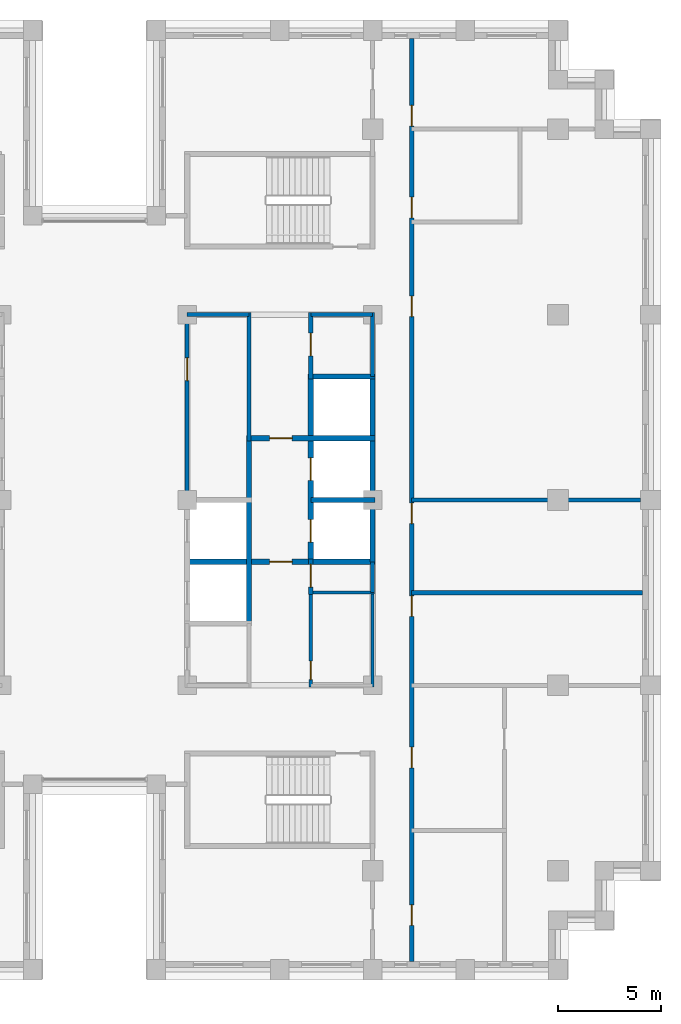
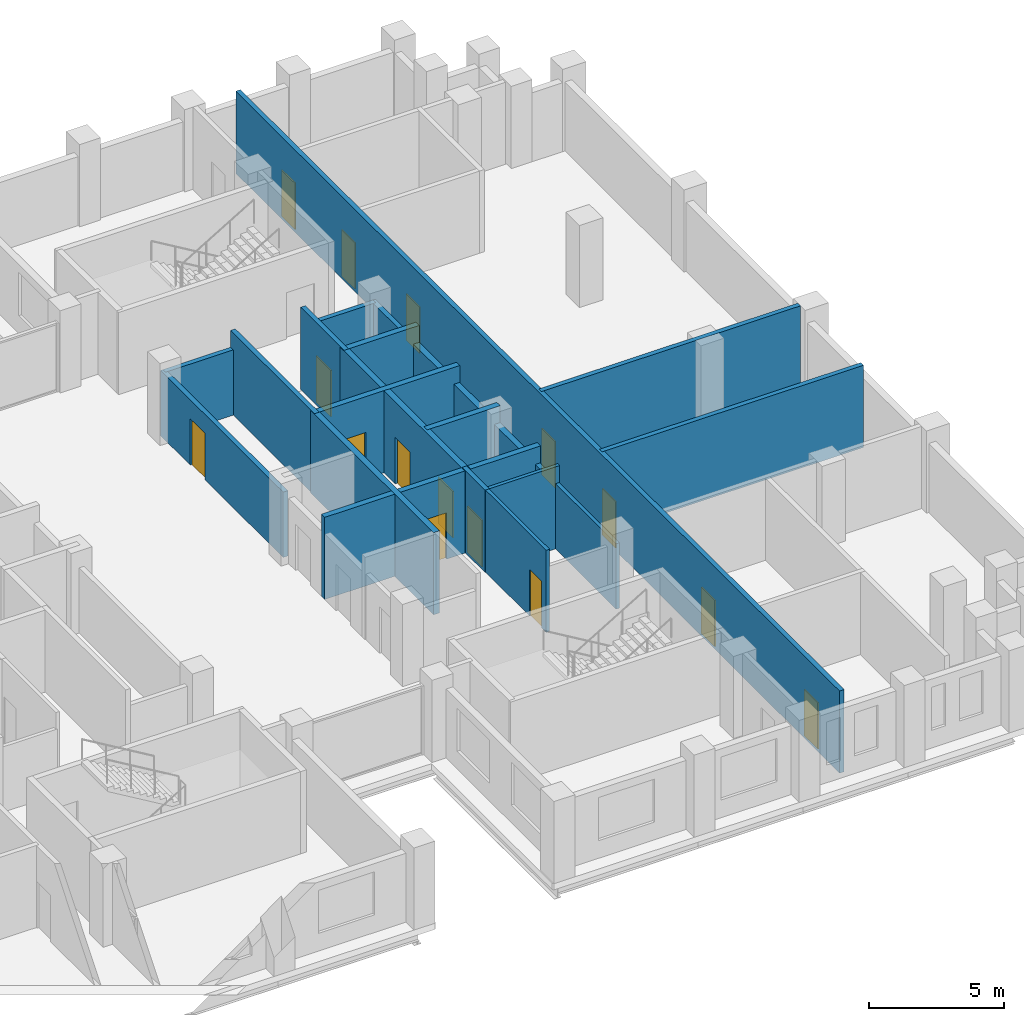
# One storey, part 9 of 15: 21 walls, 15 doors, 15 openings.
"""IFC4 building model written with IfcOpenShell, lengths in metres."""

from ifc_helpers import new_model, si_unit, direction, frame, frame_2d, origin, place, context, subcontext, project, spatial, rectangle, extrude, material, layer, layer_set, type_object, element, fill, save


model = new_model("IFC4")

# Units and contexts
model_context = context("Model", 3, precision=1e-05, world=origin(), true_north=direction((0.0, 1.0)))
body_context = subcontext(model_context, "Body", "Model", "MODEL_VIEW")
ifc_project = project(units=[si_unit("LENGTHUNIT", "METRE"), si_unit("AREAUNIT", "SQUARE_METRE"), si_unit("VOLUMEUNIT", "CUBIC_METRE"), si_unit("PLANEANGLEUNIT", "RADIAN"), si_unit("MASSUNIT", "GRAM", prefix="KILO")], contexts=[model_context])

# Site, building, storey
site_placement = place(None, origin())
site = spatial("IfcSite", under=ifc_project, at=site_placement, CompositionType="ELEMENT")
building_placement = place(site_placement, origin())
building = spatial("IfcBuilding", under=site, at=building_placement, Name="Corbelhall Arena Tower", CompositionType="ELEMENT")
storey_placement = place(building_placement, frame((0.0, 0.0, 212.0)))
storey = spatial("IfcBuildingStorey", under=building, at=storey_placement, Name="L44", CompositionType="ELEMENT", Elevation=212.0)

# Wall, openings, doors
ifc_material_1 = material(Name="Gypsum board on steel stud, acoustic", Category="steel")
ifc_layer_1 = layer(ifc_material_1, 0.199951171875)
ifc_layer_set_1 = layer_set([ifc_layer_1], Name="IN-W-DM200")
wall_type_1 = type_object("IfcWallType", Name="IN-W-DM200", PredefinedType="PARTITIONING", material=ifc_layer_set_1)
wall_1_placement = place(storey_placement, frame((15.39990234375, 22.39990234375, 0.0), z_axis=(0.0, 0.0, 1.0), x_axis=(0.0, -1.0, 0.0)))
wall_1 = element("IfcWall", 1, at=wall_1_placement, inside=storey, type_object=wall_type_1, Name="Partition 026", PredefinedType="PARTITIONING", context=body_context, shape_type="SweptSolid", body=[
    extrude(rectangle(XDim=44.7998046875, YDim=0.199951171875, at=frame_2d((22.39990234375, 0.0))), origin(), (0.0, 0.0, 1.0), 3.719970703125),
])
opening_1_placement = place(wall_1_placement, frame((12.5, 0.0, 0.0)))
opening_1 = element("IfcOpeningElement", 2, at=opening_1_placement, cuts=wall_1, Name="Opening 13032", PredefinedType="OPENING", context=body_context, shape_type="SweptSolid", body=[
    extrude(rectangle(XDim=1.0, YDim=2.10009765625, at=frame_2d((0.5, 1.050048828125))), frame((0.0, 0.10009765625, 0.0), z_axis=(0.0, -1.0, 0.0), x_axis=(1.0, 0.0, 0.0)), (0.0, 0.0, 1.0), 0.199951171875),
])
opening_2_placement = place(wall_1_placement, frame((7.699951171875, 0.0, 0.0)))
opening_2 = element("IfcOpeningElement", 3, at=opening_2_placement, cuts=wall_1, Name="Opening 13033", PredefinedType="OPENING", context=body_context, shape_type="SweptSolid", body=[
    extrude(rectangle(XDim=1.0, YDim=2.10009765625, at=frame_2d((0.5, 1.050048828125))), frame((0.0, 0.10009765625, 0.0), z_axis=(0.0, -1.0, 0.0), x_axis=(1.0, 0.0, 0.0)), (0.0, 0.0, 1.0), 0.199951171875),
])
opening_3_placement = place(wall_1_placement, frame((3.25, 0.0, 0.0)))
opening_3 = element("IfcOpeningElement", 4, at=opening_3_placement, cuts=wall_1, Name="Opening 13034", PredefinedType="OPENING", context=body_context, shape_type="SweptSolid", body=[
    extrude(rectangle(XDim=1.0, YDim=2.10009765625, at=frame_2d((0.5, 1.050048828125))), frame((0.0, 0.10009765625, 0.0), z_axis=(0.0, -1.0, 0.0), x_axis=(1.0, 0.0, 0.0)), (0.0, 0.0, 1.0), 0.199951171875),
])
opening_4_placement = place(wall_1_placement, frame((42.050048828125, 0.0, 0.0)))
opening_4 = element("IfcOpeningElement", 5, at=opening_4_placement, cuts=wall_1, Name="Opening 13035", PredefinedType="OPENING", context=body_context, shape_type="SweptSolid", body=[
    extrude(rectangle(XDim=1.0, YDim=2.10009765625, at=frame_2d((0.5, 1.050048828125))), frame((0.0, 0.10009765625, 0.0), z_axis=(0.0, -1.0, 0.0), x_axis=(1.0, 0.0, 0.0)), (0.0, 0.0, 1.0), 0.199951171875),
])
opening_5_placement = place(wall_1_placement, frame((34.39990234375, 0.0, 0.0)))
opening_5 = element("IfcOpeningElement", 6, at=opening_5_placement, cuts=wall_1, Name="Opening 13036", PredefinedType="OPENING", context=body_context, shape_type="SweptSolid", body=[
    extrude(rectangle(XDim=1.0, YDim=2.10009765625, at=frame_2d((0.5, 1.050048828125))), frame((0.0, 0.10009765625, 0.0), z_axis=(0.0, -1.0, 0.0), x_axis=(1.0, 0.0, 0.0)), (0.0, 0.0, 1.0), 0.199951171875),
])
opening_6_placement = place(wall_1_placement, frame((27.050048828125, 0.0, 0.0)))
opening_6 = element("IfcOpeningElement", 7, at=opening_6_placement, cuts=wall_1, Name="Opening 13038", PredefinedType="OPENING", context=body_context, shape_type="SweptSolid", body=[
    extrude(rectangle(XDim=1.0, YDim=2.10009765625, at=frame_2d((0.5, 1.050048828125))), frame((0.0, 0.10009765625, 0.0), z_axis=(0.0, -1.0, 0.0), x_axis=(1.0, 0.0, 0.0)), (0.0, 0.0, 1.0), 0.199951171875),
])
opening_7_placement = place(wall_1_placement, frame((22.550048828125, 0.0, 0.0)))
opening_7 = element("IfcOpeningElement", 8, at=opening_7_placement, cuts=wall_1, Name="Opening 13039", PredefinedType="OPENING", context=body_context, shape_type="SweptSolid", body=[
    extrude(rectangle(XDim=1.0, YDim=2.10009765625, at=frame_2d((0.5, 1.050048828125))), frame((0.0, 0.10009765625, 0.0), z_axis=(0.0, -1.0, 0.0), x_axis=(1.0, 0.0, 0.0)), (0.0, 0.0, 1.0), 0.199951171875),
])
ifc_material_2 = material(Name="Steel door set", Category="steel")
door_type_1 = type_object("IfcDoorType", Name="IN-D-SW100", OperationType="NOTDEFINED", PredefinedType="DOOR", material=ifc_material_2)
door_1_placement = place(opening_1_placement, origin())
door_1 = element("IfcDoor", 9, at=door_1_placement, inside=storey, type_object=door_type_1, Name="Door 032", OperationType="SINGLE_SWING_LEFT", OverallHeight=2.10009765625, OverallWidth=1.0, PredefinedType="DOOR", context=body_context, shape_type="SweptSolid", body=[
    extrude(rectangle(XDim=1.0, YDim=2.10009765625, at=frame_2d((0.5, 1.050048828125))), frame((0.0, 0.02490234375, 0.0), z_axis=(0.0, -1.0, 0.0), x_axis=(1.0, 0.0, 0.0)), (0.0, 0.0, 1.0), 0.050048828125),
])
fill(opening_1, door_1)
door_2_placement = place(opening_2_placement, origin())
door_2 = element("IfcDoor", 10, at=door_2_placement, inside=storey, type_object=door_type_1, Name="Door 033", OperationType="SINGLE_SWING_RIGHT", OverallHeight=2.10009765625, OverallWidth=1.0, PredefinedType="DOOR", context=body_context, shape_type="SweptSolid", body=[
    extrude(rectangle(XDim=1.0, YDim=2.10009765625, at=frame_2d((0.5, 1.050048828125))), frame((0.0, 0.02490234375, 0.0), z_axis=(0.0, -1.0, 0.0), x_axis=(1.0, 0.0, 0.0)), (0.0, 0.0, 1.0), 0.050048828125),
])
fill(opening_2, door_2)
door_3_placement = place(opening_3_placement, origin())
door_3 = element("IfcDoor", 11, at=door_3_placement, inside=storey, type_object=door_type_1, Name="Door 034", OperationType="SINGLE_SWING_LEFT", OverallHeight=2.10009765625, OverallWidth=1.0, PredefinedType="DOOR", context=body_context, shape_type="SweptSolid", body=[
    extrude(rectangle(XDim=1.0, YDim=2.10009765625, at=frame_2d((0.5, 1.050048828125))), frame((0.0, 0.02490234375, 0.0), z_axis=(0.0, -1.0, 0.0), x_axis=(1.0, 0.0, 0.0)), (0.0, 0.0, 1.0), 0.050048828125),
])
fill(opening_3, door_3)
door_4_placement = place(opening_4_placement, origin())
door_4 = element("IfcDoor", 12, at=door_4_placement, inside=storey, type_object=door_type_1, Name="Door 035", OperationType="SINGLE_SWING_RIGHT", OverallHeight=2.10009765625, OverallWidth=1.0, PredefinedType="DOOR", context=body_context, shape_type="SweptSolid", body=[
    extrude(rectangle(XDim=1.0, YDim=2.10009765625, at=frame_2d((0.5, 1.050048828125))), frame((0.0, 0.02490234375, 0.0), z_axis=(0.0, -1.0, 0.0), x_axis=(1.0, 0.0, 0.0)), (0.0, 0.0, 1.0), 0.050048828125),
])
fill(opening_4, door_4)
door_5_placement = place(opening_5_placement, origin())
door_5 = element("IfcDoor", 13, at=door_5_placement, inside=storey, type_object=door_type_1, Name="Door 036", OperationType="SINGLE_SWING_LEFT", OverallHeight=2.10009765625, OverallWidth=1.0, PredefinedType="DOOR", context=body_context, shape_type="SweptSolid", body=[
    extrude(rectangle(XDim=1.0, YDim=2.10009765625, at=frame_2d((0.5, 1.050048828125))), frame((0.0, 0.02490234375, 0.0), z_axis=(0.0, -1.0, 0.0), x_axis=(1.0, 0.0, 0.0)), (0.0, 0.0, 1.0), 0.050048828125),
])
fill(opening_5, door_5)
door_6_placement = place(opening_6_placement, origin())
door_6 = element("IfcDoor", 14, at=door_6_placement, inside=storey, type_object=door_type_1, Name="Door 038", OperationType="SINGLE_SWING_LEFT", OverallHeight=2.10009765625, OverallWidth=1.0, PredefinedType="DOOR", context=body_context, shape_type="SweptSolid", body=[
    extrude(rectangle(XDim=1.0, YDim=2.10009765625, at=frame_2d((0.5, 1.050048828125))), frame((0.0, 0.02490234375, 0.0), z_axis=(0.0, -1.0, 0.0), x_axis=(1.0, 0.0, 0.0)), (0.0, 0.0, 1.0), 0.050048828125),
])
fill(opening_6, door_6)
door_7_placement = place(opening_7_placement, origin())
door_7 = element("IfcDoor", 15, at=door_7_placement, inside=storey, type_object=door_type_1, Name="Door 039", OperationType="SINGLE_SWING_RIGHT", OverallHeight=2.10009765625, OverallWidth=1.0, PredefinedType="DOOR", context=body_context, shape_type="SweptSolid", body=[
    extrude(rectangle(XDim=1.0, YDim=2.10009765625, at=frame_2d((0.5, 1.050048828125))), frame((0.0, 0.02490234375, 0.0), z_axis=(0.0, -1.0, 0.0), x_axis=(1.0, 0.0, 0.0)), (0.0, 0.0, 1.0), 0.050048828125),
])
fill(opening_7, door_7)

# Walls
wall_2_placement = place(storey_placement, frame((15.39990234375, -4.5, 0.0), z_axis=(0.0, 0.0, 1.0), x_axis=(1.0, 0.0, 0.0)))
element("IfcWall", 16, at=wall_2_placement, inside=storey, type_object=wall_type_1, Name="Partition 028", PredefinedType="PARTITIONING", context=body_context, shape_type="SweptSolid", body=[
    extrude(rectangle(XDim=11.2001953125, YDim=0.199951171875, at=frame_2d((5.60009765625, 0.0))), origin(), (0.0, 0.0, 1.0), 3.719970703125),
])
wall_3_placement = place(storey_placement, frame((26.5, 0.0, 0.0), z_axis=(0.0, 0.0, 1.0), x_axis=(-1.0, 0.0, 0.0)))
element("IfcWall", 17, at=wall_3_placement, inside=storey, type_object=wall_type_1, Name="Partition 033", PredefinedType="PARTITIONING", context=body_context, shape_type="SweptSolid", body=[
    extrude(rectangle(XDim=11.10009765625, YDim=0.199951171875, at=frame_2d((5.550048828125, 0.0))), origin(), (0.0, 0.0, 1.0), 3.719970703125),
])
ifc_material_3 = material(Name="Concrete block wall", Category="concrete")
ifc_layer_2 = layer(ifc_material_3, 0.199951171875)
ifc_layer_set_2 = layer_set([ifc_layer_2], Name="IN-W-RS200")
wall_type_2 = type_object("IfcWallType", Name="IN-W-RS200", PredefinedType="SOLIDWALL", material=ifc_layer_set_2)
wall_4_placement = place(storey_placement, frame((7.5, 9.10009765625, 0.0), z_axis=(0.0, 0.0, 1.0), x_axis=(0.0, -1.0, 0.0)))
element("IfcWall", 18, at=wall_4_placement, inside=storey, type_object=wall_type_2, Name="Partition 050", PredefinedType="SOLIDWALL", context=body_context, shape_type="SweptSolid", body=[
    extrude(rectangle(XDim=6.22509765625, YDim=0.199951171875, at=frame_2d((3.112548828125, 0.0))), origin(), (0.0, 0.0, 1.0), 3.719970703125),
])

# Wall, opening, door
wall_5_placement = place(storey_placement, frame((10.5, -2.875, 0.0), z_axis=(0.0, 0.0, 1.0), x_axis=(0.0, -1.0, 0.0)))
wall_5 = element("IfcWall", 19, at=wall_5_placement, inside=storey, type_object=wall_type_2, Name="Partition 051", PredefinedType="SOLIDWALL", context=body_context, shape_type="SweptSolid", body=[
    extrude(rectangle(XDim=1.699951171875, YDim=0.199951171875, at=frame_2d((0.85009765625, 0.0))), origin(), (0.0, 0.0, 1.0), 3.719970703125),
])
opening_8_placement = place(wall_5_placement, frame((0.25, 0.0, 0.0)))
opening_8 = element("IfcOpeningElement", 20, at=opening_8_placement, cuts=wall_5, Name="Opening 13013", PredefinedType="OPENING", context=body_context, shape_type="SweptSolid", body=[
    extrude(rectangle(XDim=1.10009765625, YDim=2.10009765625, at=frame_2d((0.550048828125, 1.050048828125))), frame((0.0, 0.10009765625, 0.0), z_axis=(0.0, -1.0, 0.0), x_axis=(1.0, 0.0, 0.0)), (0.0, 0.0, 1.0), 0.199951171875),
])
door_type_2 = type_object("IfcDoorType", Name="IN-D-FD110", OperationType="NOTDEFINED", PredefinedType="DOOR", material=ifc_material_2)
door_8_placement = place(opening_8_placement, origin())
door_8 = element("IfcDoor", 21, at=door_8_placement, inside=storey, type_object=door_type_2, Name="Door 013", OperationType="SINGLE_SWING_RIGHT", OverallHeight=2.10009765625, OverallWidth=1.10009765625, PredefinedType="DOOR", context=body_context, shape_type="SweptSolid", body=[
    extrude(rectangle(XDim=1.10009765625, YDim=2.10009765625, at=frame_2d((0.550048828125, 1.050048828125))), frame((0.0, 0.02490234375, 0.0), z_axis=(0.0, -1.0, 0.0), x_axis=(1.0, 0.0, 0.0)), (0.0, 0.0, 1.0), 0.050048828125),
])
fill(opening_8, door_8)

wall_6_placement = place(storey_placement, frame((10.5, 9.10009765625, 0.0), z_axis=(0.0, 0.0, 1.0), x_axis=(0.0, -1.0, 0.0)))
wall_6 = element("IfcWall", 22, at=wall_6_placement, inside=storey, type_object=wall_type_2, Name="Partition 053", PredefinedType="SOLIDWALL", context=body_context, shape_type="SweptSolid", body=[
    extrude(rectangle(XDim=3.22509765625, YDim=0.199951171875, at=frame_2d((1.612548828125, 0.0))), origin(), (0.0, 0.0, 1.0), 3.719970703125),
])
opening_9_placement = place(wall_6_placement, frame((1.0, 0.0, 0.0)))
opening_9 = element("IfcOpeningElement", 23, at=opening_9_placement, cuts=wall_6, Name="Opening 13014", PredefinedType="OPENING", context=body_context, shape_type="SweptSolid", body=[
    extrude(rectangle(XDim=1.10009765625, YDim=2.10009765625, at=frame_2d((0.550048828125, 1.050048828125))), frame((0.0, 0.10009765625, 0.0), z_axis=(0.0, -1.0, 0.0), x_axis=(1.0, 0.0, 0.0)), (0.0, 0.0, 1.0), 0.199951171875),
])
door_9_placement = place(opening_9_placement, origin())
door_9 = element("IfcDoor", 24, at=door_9_placement, inside=storey, type_object=door_type_2, Name="Door 014", OperationType="SINGLE_SWING_LEFT", OverallHeight=2.10009765625, OverallWidth=1.10009765625, PredefinedType="DOOR", context=body_context, shape_type="SweptSolid", body=[
    extrude(rectangle(XDim=1.10009765625, YDim=2.10009765625, at=frame_2d((0.550048828125, 1.050048828125))), frame((0.0, 0.02490234375, 0.0), z_axis=(0.0, -1.0, 0.0), x_axis=(1.0, 0.0, 0.0)), (0.0, 0.0, 1.0), 0.050048828125),
])
fill(opening_9, door_9)

ifc_layer_3 = layer(ifc_material_3, 0.199951171875)
ifc_layer_set_3 = layer_set([ifc_layer_3], Name="IN-W-RS200 under beam 762 mm")
wall_type_3 = type_object("IfcWallType", Name="IN-W-RS200 under beam 762 mm", PredefinedType="SOLIDWALL", material=ifc_layer_set_3)
wall_7_placement = place(storey_placement, frame((4.5, 0.0, 0.0), z_axis=(0.0, 0.0, 1.0), x_axis=(0.0, 1.0, 0.0)))
wall_7 = element("IfcWall", 25, at=wall_7_placement, inside=storey, type_object=wall_type_3, Name="Partition 046", PredefinedType="SOLIDWALL", context=body_context, shape_type="SweptSolid", body=[
    extrude(rectangle(XDim=9.10009765625, YDim=0.199951171875, at=frame_2d((4.550048828125, 0.0))), origin(), (0.0, 0.0, 1.0), 2.9580078125),
])
opening_10_placement = place(wall_7_placement, frame((5.800048828125, 0.0, 0.0)))
opening_10 = element("IfcOpeningElement", 26, at=opening_10_placement, cuts=wall_7, Name="Opening 13009", PredefinedType="OPENING", context=body_context, shape_type="SweptSolid", body=[
    extrude(rectangle(XDim=1.10009765625, YDim=2.10009765625, at=frame_2d((0.550048828125, 1.050048828125))), frame((0.0, 0.10009765625, 0.0), z_axis=(0.0, -1.0, 0.0), x_axis=(1.0, 0.0, 0.0)), (0.0, 0.0, 1.0), 0.199951171875),
])
door_10_placement = place(opening_10_placement, origin())
door_10 = element("IfcDoor", 27, at=door_10_placement, inside=storey, type_object=door_type_2, Name="Door 009", OperationType="SINGLE_SWING_RIGHT", OverallHeight=2.10009765625, OverallWidth=1.10009765625, PredefinedType="DOOR", context=body_context, shape_type="SweptSolid", body=[
    extrude(rectangle(XDim=1.10009765625, YDim=2.10009765625, at=frame_2d((0.550048828125, 1.050048828125))), frame((0.0, 0.02490234375, 0.0), z_axis=(0.0, -1.0, 0.0), x_axis=(1.0, 0.0, 0.0)), (0.0, 0.0, 1.0), 0.050048828125),
])
fill(opening_10, door_10)

# Walls
for number, where, z_axis, x_axis, name in (
    (28, (4.5, 9.0, 0.0), (0.0, 0.0, 1.0), (1.0, 0.0, 0.0), "Partition 047"),
    (29, (10.5, 9.0, 0.0), (0.0, 0.0, 1.0), (1.0, 0.0, 0.0), "Partition 052"),
):
    element("IfcWall", number, at=place(storey_placement, frame(where, z_axis=z_axis, x_axis=x_axis)), inside=storey, type_object=wall_type_3, Name=name, PredefinedType="SOLIDWALL", context=body_context, shape_type="SweptSolid", body=[
        extrude(rectangle(XDim=3.0, YDim=0.199951171875, at=frame_2d((1.5, 0.0))), origin(), (0.0, 0.0, 1.0), 2.9580078125),
    ])
wall_8_placement = place(storey_placement, frame((13.5, -3.0, 0.0), z_axis=(0.0, 0.0, 1.0), x_axis=(0.0, -1.0, 0.0)))
element("IfcWall", 30, at=wall_8_placement, inside=storey, type_object=wall_type_3, Name="Partition 054", PredefinedType="SOLIDWALL", context=body_context, shape_type="SweptSolid", body=[
    extrude(rectangle(XDim=1.5, YDim=0.199951171875, at=frame_2d((0.75, 0.0))), origin(), (0.0, 0.0, 1.0), 2.9580078125),
])
wall_9_placement = place(storey_placement, frame((13.5, 9.10009765625, 0.0), z_axis=(0.0, 0.0, 1.0), x_axis=(0.0, -1.0, 0.0)))
element("IfcWall", 31, at=wall_9_placement, inside=storey, type_object=wall_type_3, Name="Partition 055", PredefinedType="SOLIDWALL", context=body_context, shape_type="SweptSolid", body=[
    extrude(rectangle(XDim=3.10009765625, YDim=0.199951171875, at=frame_2d((1.550048828125, 0.0))), origin(), (0.0, 0.0, 1.0), 2.9580078125),
])

# Wall, opening, door
ifc_material_4 = material(Name="Concrete C40/50", Category="concrete")
ifc_layer_4 = layer(ifc_material_4, 0.25)
ifc_layer_set_4 = layer_set([ifc_layer_4], Name="IN-W-SH250")
wall_type_4 = type_object("IfcWallType", Name="IN-W-SH250", PredefinedType="SOLIDWALL", material=ifc_layer_set_4)
wall_10_placement = place(storey_placement, frame((4.375, -3.0, 0.0), z_axis=(0.0, 0.0, 1.0), x_axis=(1.0, 0.0, 0.0)))
wall_10 = element("IfcWall", 32, at=wall_10_placement, inside=storey, type_object=wall_type_4, Name="Shaft wall 066", PredefinedType="SOLIDWALL", context=body_context, shape_type="SweptSolid", body=[
    extrude(rectangle(XDim=9.25, YDim=0.25, at=frame_2d((4.625, 0.0))), origin(), (0.0, 0.0, 1.0), 3.719970703125),
])
opening_11_placement = place(wall_10_placement, frame((4.125, 0.0, 0.0)))
opening_11 = element("IfcOpeningElement", 33, at=opening_11_placement, cuts=wall_10, Name="Opening 13010", PredefinedType="OPENING", context=body_context, shape_type="SweptSolid", body=[
    extrude(rectangle(XDim=1.10009765625, YDim=2.10009765625, at=frame_2d((0.550048828125, 1.050048828125))), frame((0.0, 0.125, 0.0), z_axis=(0.0, -1.0, 0.0), x_axis=(1.0, 0.0, 0.0)), (0.0, 0.0, 1.0), 0.25),
])
door_11_placement = place(opening_11_placement, origin())
door_11 = element("IfcDoor", 34, at=door_11_placement, inside=storey, type_object=door_type_2, Name="Door 010", OperationType="SINGLE_SWING_LEFT", OverallHeight=2.10009765625, OverallWidth=1.10009765625, PredefinedType="DOOR", context=body_context, shape_type="SweptSolid", body=[
    extrude(rectangle(XDim=1.10009765625, YDim=2.10009765625, at=frame_2d((0.550048828125, 1.050048828125))), frame((0.0, 0.02490234375, 0.0), z_axis=(0.0, -1.0, 0.0), x_axis=(1.0, 0.0, 0.0)), (0.0, 0.0, 1.0), 0.050048828125),
])
fill(opening_11, door_11)

# Wall
wall_11_placement = place(storey_placement, frame((7.5, 3.125, 0.0), z_axis=(0.0, 0.0, 1.0), x_axis=(0.0, -1.0, 0.0)))
element("IfcWall", 35, at=wall_11_placement, inside=storey, type_object=wall_type_4, Name="Shaft wall 069", PredefinedType="SOLIDWALL", context=body_context, shape_type="SweptSolid", body=[
    extrude(rectangle(XDim=9.125, YDim=0.25, at=frame_2d((4.5625, 0.0))), origin(), (0.0, 0.0, 1.0), 3.719970703125),
])

# Wall, opening, door
wall_12_placement = place(storey_placement, frame((7.5, 3.0, 0.0), z_axis=(0.0, 0.0, 1.0), x_axis=(1.0, 0.0, 0.0)))
wall_12 = element("IfcWall", 36, at=wall_12_placement, inside=storey, type_object=wall_type_4, Name="Shaft wall 070", PredefinedType="SOLIDWALL", context=body_context, shape_type="SweptSolid", body=[
    extrude(rectangle(XDim=6.125, YDim=0.25, at=frame_2d((3.0625, 0.0))), origin(), (0.0, 0.0, 1.0), 3.719970703125),
])
opening_12_placement = place(wall_12_placement, frame((1.0, 0.0, 0.0)))
opening_12 = element("IfcOpeningElement", 37, at=opening_12_placement, cuts=wall_12, Name="Opening 13011", PredefinedType="OPENING", context=body_context, shape_type="SweptSolid", body=[
    extrude(rectangle(XDim=1.10009765625, YDim=2.10009765625, at=frame_2d((0.550048828125, 1.050048828125))), frame((0.0, 0.125, 0.0), z_axis=(0.0, -1.0, 0.0), x_axis=(1.0, 0.0, 0.0)), (0.0, 0.0, 1.0), 0.25),
])
door_12_placement = place(opening_12_placement, origin())
door_12 = element("IfcDoor", 38, at=door_12_placement, inside=storey, type_object=door_type_2, Name="Door 011", OperationType="SINGLE_SWING_RIGHT", OverallHeight=2.10009765625, OverallWidth=1.10009765625, PredefinedType="DOOR", context=body_context, shape_type="SweptSolid", body=[
    extrude(rectangle(XDim=1.10009765625, YDim=2.10009765625, at=frame_2d((0.550048828125, 1.050048828125))), frame((0.0, 0.02490234375, 0.0), z_axis=(0.0, -1.0, 0.0), x_axis=(1.0, 0.0, 0.0)), (0.0, 0.0, 1.0), 0.050048828125),
])
fill(opening_12, door_12)

# Wall
wall_13_placement = place(storey_placement, frame((10.5, 0.0, 0.0), z_axis=(0.0, 0.0, 1.0), x_axis=(1.0, 0.0, 0.0)))
element("IfcWall", 39, at=wall_13_placement, inside=storey, type_object=wall_type_4, Name="Shaft wall 071", PredefinedType="SOLIDWALL", context=body_context, shape_type="SweptSolid", body=[
    extrude(rectangle(XDim=3.125, YDim=0.25, at=frame_2d((1.5625, 0.0))), origin(), (0.0, 0.0, 1.0), 3.719970703125),
])

# Wall, openings, doors
wall_14_placement = place(storey_placement, frame((10.5, 6.125, 0.0), z_axis=(0.0, 0.0, 1.0), x_axis=(0.0, -1.0, 0.0)))
wall_14 = element("IfcWall", 40, at=wall_14_placement, inside=storey, type_object=wall_type_4, Name="Shaft wall 072", PredefinedType="SOLIDWALL", context=body_context, shape_type="SweptSolid", body=[
    extrude(rectangle(XDim=9.25, YDim=0.25, at=frame_2d((4.625, 0.0))), origin(), (0.0, 0.0, 1.0), 3.719970703125),
])
opening_13_placement = place(wall_14_placement, frame((7.074951171875, 0.0, 0.0)))
opening_13 = element("IfcOpeningElement", 41, at=opening_13_placement, cuts=wall_14, Name="Opening LD", PredefinedType="OPENING", context=body_context, shape_type="SweptSolid", body=[
    extrude(rectangle(XDim=1.10009765625, YDim=2.10009765625, at=frame_2d((0.550048828125, 1.050048828125))), frame((0.0, 0.125, 0.0), z_axis=(0.0, -1.0, 0.0), x_axis=(1.0, 0.0, 0.0)), (0.0, 0.0, 1.0), 0.25),
])
opening_14_placement = place(wall_14_placement, frame((4.074951171875, 0.0, 0.0)))
opening_14 = element("IfcOpeningElement", 42, at=opening_14_placement, cuts=wall_14, Name="Opening LD", PredefinedType="OPENING", context=body_context, shape_type="SweptSolid", body=[
    extrude(rectangle(XDim=1.10009765625, YDim=2.10009765625, at=frame_2d((0.550048828125, 1.050048828125))), frame((0.0, 0.125, 0.0), z_axis=(0.0, -1.0, 0.0), x_axis=(1.0, 0.0, 0.0)), (0.0, 0.0, 1.0), 0.25),
])
door_type_3 = type_object("IfcDoorType", Name="IN-D-LD110", OperationType="NOTDEFINED", PredefinedType="DOOR", material=ifc_material_2)
door_13_placement = place(opening_13_placement, origin())
door_13 = element("IfcDoor", 43, at=door_13_placement, inside=storey, type_object=door_type_3, Name="Landing door E3", OperationType="SLIDING_TO_LEFT", OverallHeight=2.10009765625, OverallWidth=1.10009765625, PredefinedType="DOOR", context=body_context, shape_type="SweptSolid", body=[
    extrude(rectangle(XDim=1.10009765625, YDim=2.10009765625, at=frame_2d((0.550048828125, 1.050048828125))), frame((0.0, 0.02490234375, 0.0), z_axis=(0.0, -1.0, 0.0), x_axis=(1.0, 0.0, 0.0)), (0.0, 0.0, 1.0), 0.050048828125),
])
fill(opening_13, door_13)
door_14_placement = place(opening_14_placement, origin())
door_14 = element("IfcDoor", 44, at=door_14_placement, inside=storey, type_object=door_type_3, Name="Landing door E4", OperationType="SLIDING_TO_LEFT", OverallHeight=2.10009765625, OverallWidth=1.10009765625, PredefinedType="DOOR", context=body_context, shape_type="SweptSolid", body=[
    extrude(rectangle(XDim=1.10009765625, YDim=2.10009765625, at=frame_2d((0.550048828125, 1.050048828125))), frame((0.0, 0.02490234375, 0.0), z_axis=(0.0, -1.0, 0.0), x_axis=(1.0, 0.0, 0.0)), (0.0, 0.0, 1.0), 0.050048828125),
])
fill(opening_14, door_14)

# Walls
wall_15_placement = place(storey_placement, frame((10.5, 6.0, 0.0), z_axis=(0.0, 0.0, 1.0), x_axis=(1.0, 0.0, 0.0)))
element("IfcWall", 45, at=wall_15_placement, inside=storey, type_object=wall_type_4, Name="Shaft wall 073", PredefinedType="SOLIDWALL", context=body_context, shape_type="SweptSolid", body=[
    extrude(rectangle(XDim=3.125, YDim=0.25, at=frame_2d((1.5625, 0.0))), origin(), (0.0, 0.0, 1.0), 3.719970703125),
])
ifc_layer_5 = layer(ifc_material_4, 0.25)
ifc_layer_set_5 = layer_set([ifc_layer_5], Name="IN-W-SH250 under beam 762 mm")
wall_type_5 = type_object("IfcWallType", Name="IN-W-SH250 under beam 762 mm", PredefinedType="SOLIDWALL", material=ifc_layer_set_5)
wall_16_placement = place(storey_placement, frame((13.5, 6.0, 0.0), z_axis=(0.0, 0.0, 1.0), x_axis=(0.0, -1.0, 0.0)))
element("IfcWall", 46, at=wall_16_placement, inside=storey, type_object=wall_type_5, Name="Shaft wall 074", PredefinedType="SOLIDWALL", context=body_context, shape_type="SweptSolid", body=[
    extrude(rectangle(XDim=9.0, YDim=0.25, at=frame_2d((4.5, 0.0))), origin(), (0.0, 0.0, 1.0), 2.9580078125),
])
ifc_material_5 = material(Name="Gypsum board on steel stud, moisture resistant", Category="steel")
ifc_layer_6 = layer(ifc_material_5, 0.14990234375)
ifc_layer_set_6 = layer_set([ifc_layer_6], Name="IN-W-WC150")
wall_type_6 = type_object("IfcWallType", Name="IN-W-WC150", PredefinedType="PARTITIONING", material=ifc_layer_set_6)
wall_17_placement = place(storey_placement, frame((10.5, -4.5, 0.0), z_axis=(0.0, 0.0, 1.0), x_axis=(1.0, 0.0, 0.0)))
element("IfcWall", 47, at=wall_17_placement, inside=storey, type_object=wall_type_6, Name="Partition 105", PredefinedType="PARTITIONING", context=body_context, shape_type="SweptSolid", body=[
    extrude(rectangle(XDim=3.10009765625, YDim=0.14990234375, at=frame_2d((1.550048828125, 0.0))), origin(), (0.0, 0.0, 1.0), 3.719970703125),
])

# Wall, opening, door
wall_18_placement = place(storey_placement, frame((10.5, -4.425048828125, 0.0), z_axis=(0.0, 0.0, 1.0), x_axis=(0.0, -1.0, 0.0)))
wall_18 = element("IfcWall", 48, at=wall_18_placement, inside=storey, type_object=wall_type_6, Name="Partition 106", PredefinedType="PARTITIONING", context=body_context, shape_type="SweptSolid", body=[
    extrude(rectangle(XDim=4.64990234375, YDim=0.14990234375, at=frame_2d((2.324951171875, 0.0))), origin(), (0.0, 0.0, 1.0), 3.719970703125),
])
opening_15_placement = place(wall_18_placement, frame((3.39990234375, 0.0, 0.0)))
opening_15 = element("IfcOpeningElement", 49, at=opening_15_placement, cuts=wall_18, Name="Opening 13012", PredefinedType="OPENING", context=body_context, shape_type="SweptSolid", body=[
    extrude(rectangle(XDim=0.89990234375, YDim=2.10009765625, at=frame_2d((0.449951171875, 1.050048828125))), frame((0.0, 0.074951171875, 0.0), z_axis=(0.0, -1.0, 0.0), x_axis=(1.0, 0.0, 0.0)), (0.0, 0.0, 1.0), 0.14990234375),
])
ifc_material_6 = material(Name="Timber door set", Category="wood")
door_type_4 = type_object("IfcDoorType", Name="IN-D-SW90", OperationType="NOTDEFINED", PredefinedType="DOOR", material=ifc_material_6)
door_15_placement = place(opening_15_placement, origin())
door_15 = element("IfcDoor", 50, at=door_15_placement, inside=storey, type_object=door_type_4, Name="Door 012", OperationType="SINGLE_SWING_LEFT", OverallHeight=2.10009765625, OverallWidth=0.89990234375, PredefinedType="DOOR", context=body_context, shape_type="SweptSolid", body=[
    extrude(rectangle(XDim=0.89990234375, YDim=2.10009765625, at=frame_2d((0.449951171875, 1.050048828125))), frame((0.0, 0.02490234375, 0.0), z_axis=(0.0, -1.0, 0.0), x_axis=(1.0, 0.0, 0.0)), (0.0, 0.0, 1.0), 0.050048828125),
])
fill(opening_15, door_15)

# Wall
ifc_layer_7 = layer(ifc_material_5, 0.14990234375)
ifc_layer_set_7 = layer_set([ifc_layer_7], Name="IN-W-WC150 under beam 762 mm")
wall_type_7 = type_object("IfcWallType", Name="IN-W-WC150 under beam 762 mm", PredefinedType="PARTITIONING", material=ifc_layer_set_7)
wall_19_placement = place(storey_placement, frame((13.5, -4.5, 0.0), z_axis=(0.0, 0.0, 1.0), x_axis=(0.0, -1.0, 0.0)))
element("IfcWall", 51, at=wall_19_placement, inside=storey, type_object=wall_type_7, Name="Partition 108", PredefinedType="PARTITIONING", context=body_context, shape_type="SweptSolid", body=[
    extrude(rectangle(XDim=4.574951171875, YDim=0.14990234375, at=frame_2d((2.28759765625, 0.0))), origin(), (0.0, 0.0, 1.0), 2.9580078125),
])

save(model, "model.ifc")
